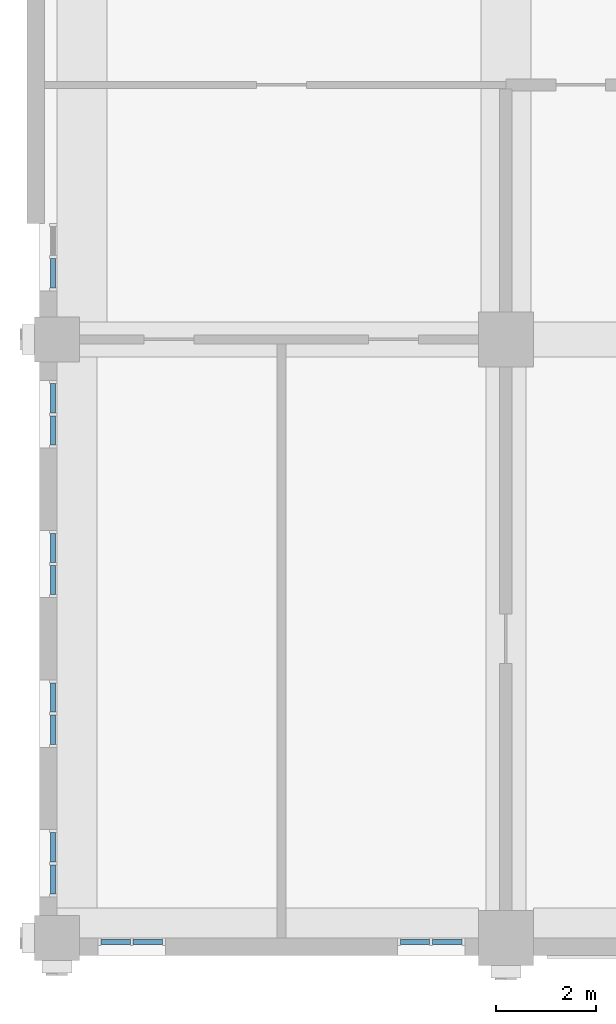
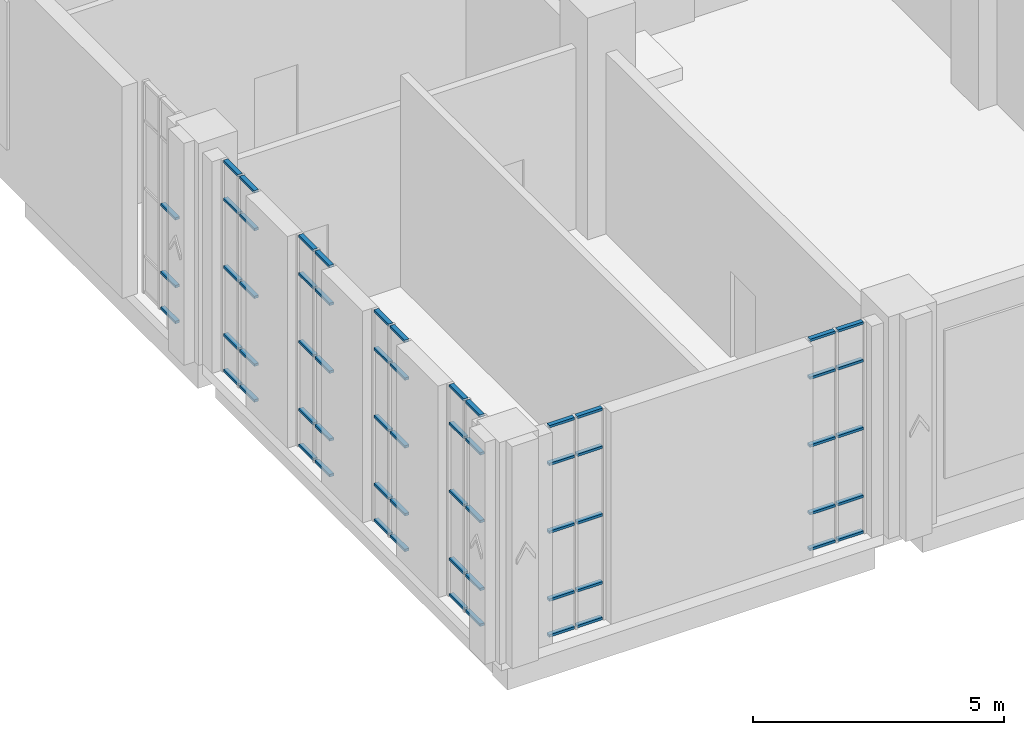
# One storey, part 6 of 25: 63 members, 7 elements without a shape of their own.
"""IFC4 building model written with IfcOpenShell, lengths in metres."""

from ifc_helpers import new_model, si_unit, direction, frame, origin, origin_2d, place, context, subcontext, project, spatial, rectangle, extrude, material, layer, layer_set, material_profile, profile_set, type_object, element, aggregate, save


model = new_model("IFC4")

# Units and contexts
model_context = context("Model", 3, precision=1e-05, world=origin(), true_north=direction((0.0, 1.0)))
body_context = subcontext(model_context, "Body", "Model", "MODEL_VIEW")
ifc_project = project(units=[si_unit("LENGTHUNIT", "METRE"), si_unit("AREAUNIT", "SQUARE_METRE"), si_unit("VOLUMEUNIT", "CUBIC_METRE"), si_unit("PLANEANGLEUNIT", "RADIAN"), si_unit("MASSUNIT", "GRAM", prefix="KILO")], contexts=[model_context])

# Site, building, storey
site_placement = place(None, origin())
site = spatial("IfcSite", under=ifc_project, at=site_placement, CompositionType="ELEMENT")
building_placement = place(site_placement, origin())
building = spatial("IfcBuilding", under=site, at=building_placement, Name="Aurelan Courthouse", CompositionType="ELEMENT")
storey_placement = place(building_placement, frame((0.0, 0.0, 33.60009765625)))
storey = spatial("IfcBuildingStorey", under=building, at=storey_placement, Name="L06", CompositionType="ELEMENT", Elevation=33.60009765625)

# Curtain wall, members
ifc_material_1 = material(Name="Bronze-finished aluminium and glass", Category="aluminium")
ifc_layer = layer(ifc_material_1, 0.14990234375)
ifc_layer_set = layer_set([ifc_layer], Name="Bronze-finished aluminium and glass")
curtain_wall_type = type_object("IfcCurtainWallType", Name="Curtain wall 1350 x 5150", PredefinedType="NOTDEFINED", material=ifc_layer_set)
curtain_wall_1_placement = place(storey_placement, origin())
curtain_wall_1 = element("IfcCurtainWall", 1, at=curtain_wall_1_placement, inside=storey, type_object=curtain_wall_type, Name="Curtain wall CW-V5-L06-S01", PredefinedType="NOTDEFINED")
ifc_material_2 = material(Name="Bronze-finished aluminium", Category="aluminium")
ifc_material_profile = material_profile(ifc_material_2, rectangle(XDim=0.10009765625, YDim=0.06005859375, at=origin_2d()), Name="Bronze transom 60 x 100")
ifc_profile_set = profile_set([ifc_material_profile], Name="Bronze-finished aluminium")
member_type = type_object("IfcMemberType", Name="Curtain wall transom 60 x 100", PredefinedType="USERDEFINED", material=ifc_profile_set)
member_1_placement = place(storey_placement, frame((0.885009765625, -0.074951171875, 0.02978515625), z_axis=(1.0, 0.0, 0.0), x_axis=(0.0, 1.0, 0.0)))
member_1 = element("IfcMember", 2, at=member_1_placement, type_object=member_type, Name="CW-V5-L06-S01 transom 1.1", ObjectType="TRANSOM", PredefinedType="USERDEFINED", context=body_context, shape_type="SweptSolid", body=[
    extrude(rectangle(XDim=0.10009765625, YDim=0.06005859375, at=origin_2d()), origin(), (0.0, 0.0, 1.0), 0.5849609375),
])
member_2_placement = place(storey_placement, frame((0.885009765625, -0.074951171875, 0.89990234375), z_axis=(1.0, 0.0, 0.0), x_axis=(0.0, 1.0, 0.0)))
member_2 = element("IfcMember", 3, at=member_2_placement, type_object=member_type, Name="CW-V5-L06-S01 transom 1.2", ObjectType="TRANSOM", PredefinedType="USERDEFINED", context=body_context, shape_type="SweptSolid", body=[
    extrude(rectangle(XDim=0.10009765625, YDim=0.06005859375, at=origin_2d()), origin(), (0.0, 0.0, 1.0), 0.5849609375),
])
member_3_placement = place(storey_placement, frame((0.885009765625, -0.074951171875, 2.5498046875), z_axis=(1.0, 0.0, 0.0), x_axis=(0.0, 1.0, 0.0)))
member_3 = element("IfcMember", 4, at=member_3_placement, type_object=member_type, Name="CW-V5-L06-S01 transom 1.3", ObjectType="TRANSOM", PredefinedType="USERDEFINED", context=body_context, shape_type="SweptSolid", body=[
    extrude(rectangle(XDim=0.10009765625, YDim=0.06005859375, at=origin_2d()), origin(), (0.0, 0.0, 1.0), 0.5849609375),
])
member_4_placement = place(storey_placement, frame((0.885009765625, -0.074951171875, 4.199951171875), z_axis=(1.0, 0.0, 0.0), x_axis=(0.0, 1.0, 0.0)))
member_4 = element("IfcMember", 5, at=member_4_placement, type_object=member_type, Name="CW-V5-L06-S01 transom 1.4", ObjectType="TRANSOM", PredefinedType="USERDEFINED", context=body_context, shape_type="SweptSolid", body=[
    extrude(rectangle(XDim=0.10009765625, YDim=0.06005859375, at=origin_2d()), origin(), (0.0, 0.0, 1.0), 0.5849609375),
])
member_5_placement = place(storey_placement, frame((0.885009765625, -0.074951171875, 5.119873046875), z_axis=(1.0, 0.0, 0.0), x_axis=(0.0, 1.0, 0.0)))
member_5 = element("IfcMember", 6, at=member_5_placement, type_object=member_type, Name="CW-V5-L06-S01 transom 1.5", ObjectType="TRANSOM", PredefinedType="USERDEFINED", context=body_context, shape_type="SweptSolid", body=[
    extrude(rectangle(XDim=0.10009765625, YDim=0.06005859375, at=origin_2d()), origin(), (0.0, 0.0, 1.0), 0.5849609375),
])
member_6_placement = place(storey_placement, frame((1.530029296875, -0.074951171875, 0.02978515625), z_axis=(1.0, 0.0, 0.0), x_axis=(0.0, 1.0, 0.0)))
member_6 = element("IfcMember", 7, at=member_6_placement, type_object=member_type, Name="CW-V5-L06-S01 transom 2.1", ObjectType="TRANSOM", PredefinedType="USERDEFINED", context=body_context, shape_type="SweptSolid", body=[
    extrude(rectangle(XDim=0.10009765625, YDim=0.06005859375, at=origin_2d()), origin(), (0.0, 0.0, 1.0), 0.5849609375),
])
member_7_placement = place(storey_placement, frame((1.530029296875, -0.074951171875, 0.89990234375), z_axis=(1.0, 0.0, 0.0), x_axis=(0.0, 1.0, 0.0)))
member_7 = element("IfcMember", 8, at=member_7_placement, type_object=member_type, Name="CW-V5-L06-S01 transom 2.2", ObjectType="TRANSOM", PredefinedType="USERDEFINED", context=body_context, shape_type="SweptSolid", body=[
    extrude(rectangle(XDim=0.10009765625, YDim=0.06005859375, at=origin_2d()), origin(), (0.0, 0.0, 1.0), 0.5849609375),
])
member_8_placement = place(storey_placement, frame((1.530029296875, -0.074951171875, 2.5498046875), z_axis=(1.0, 0.0, 0.0), x_axis=(0.0, 1.0, 0.0)))
member_8 = element("IfcMember", 9, at=member_8_placement, type_object=member_type, Name="CW-V5-L06-S01 transom 2.3", ObjectType="TRANSOM", PredefinedType="USERDEFINED", context=body_context, shape_type="SweptSolid", body=[
    extrude(rectangle(XDim=0.10009765625, YDim=0.06005859375, at=origin_2d()), origin(), (0.0, 0.0, 1.0), 0.5849609375),
])
member_9_placement = place(storey_placement, frame((1.530029296875, -0.074951171875, 4.199951171875), z_axis=(1.0, 0.0, 0.0), x_axis=(0.0, 1.0, 0.0)))
member_9 = element("IfcMember", 10, at=member_9_placement, type_object=member_type, Name="CW-V5-L06-S01 transom 2.4", ObjectType="TRANSOM", PredefinedType="USERDEFINED", context=body_context, shape_type="SweptSolid", body=[
    extrude(rectangle(XDim=0.10009765625, YDim=0.06005859375, at=origin_2d()), origin(), (0.0, 0.0, 1.0), 0.5849609375),
])
member_10_placement = place(storey_placement, frame((1.530029296875, -0.074951171875, 5.119873046875), z_axis=(1.0, 0.0, 0.0), x_axis=(0.0, 1.0, 0.0)))
member_10 = element("IfcMember", 11, at=member_10_placement, type_object=member_type, Name="CW-V5-L06-S01 transom 2.5", ObjectType="TRANSOM", PredefinedType="USERDEFINED", context=body_context, shape_type="SweptSolid", body=[
    extrude(rectangle(XDim=0.10009765625, YDim=0.06005859375, at=origin_2d()), origin(), (0.0, 0.0, 1.0), 0.5849609375),
])
aggregate(curtain_wall_1, [member_1, member_2, member_3, member_4, member_5, member_6, member_7, member_8, member_9, member_10])

curtain_wall_2_placement = place(storey_placement, origin())
curtain_wall_2 = element("IfcCurtainWall", 12, at=curtain_wall_2_placement, inside=storey, type_object=curtain_wall_type, Name="Curtain wall CW-V5-L06-S02", PredefinedType="NOTDEFINED")
member_11_placement = place(storey_placement, frame((6.885009765625, -0.074951171875, 0.02978515625), z_axis=(1.0, 0.0, 0.0), x_axis=(0.0, 1.0, 0.0)))
member_11 = element("IfcMember", 13, at=member_11_placement, type_object=member_type, Name="CW-V5-L06-S02 transom 1.1", ObjectType="TRANSOM", PredefinedType="USERDEFINED", context=body_context, shape_type="SweptSolid", body=[
    extrude(rectangle(XDim=0.10009765625, YDim=0.06005859375, at=origin_2d()), origin(), (0.0, 0.0, 1.0), 0.5849609375),
])
member_12_placement = place(storey_placement, frame((6.885009765625, -0.074951171875, 0.89990234375), z_axis=(1.0, 0.0, 0.0), x_axis=(0.0, 1.0, 0.0)))
member_12 = element("IfcMember", 14, at=member_12_placement, type_object=member_type, Name="CW-V5-L06-S02 transom 1.2", ObjectType="TRANSOM", PredefinedType="USERDEFINED", context=body_context, shape_type="SweptSolid", body=[
    extrude(rectangle(XDim=0.10009765625, YDim=0.06005859375, at=origin_2d()), origin(), (0.0, 0.0, 1.0), 0.5849609375),
])
member_13_placement = place(storey_placement, frame((6.885009765625, -0.074951171875, 2.5498046875), z_axis=(1.0, 0.0, 0.0), x_axis=(0.0, 1.0, 0.0)))
member_13 = element("IfcMember", 15, at=member_13_placement, type_object=member_type, Name="CW-V5-L06-S02 transom 1.3", ObjectType="TRANSOM", PredefinedType="USERDEFINED", context=body_context, shape_type="SweptSolid", body=[
    extrude(rectangle(XDim=0.10009765625, YDim=0.06005859375, at=origin_2d()), origin(), (0.0, 0.0, 1.0), 0.5849609375),
])
member_14_placement = place(storey_placement, frame((6.885009765625, -0.074951171875, 4.199951171875), z_axis=(1.0, 0.0, 0.0), x_axis=(0.0, 1.0, 0.0)))
member_14 = element("IfcMember", 16, at=member_14_placement, type_object=member_type, Name="CW-V5-L06-S02 transom 1.4", ObjectType="TRANSOM", PredefinedType="USERDEFINED", context=body_context, shape_type="SweptSolid", body=[
    extrude(rectangle(XDim=0.10009765625, YDim=0.06005859375, at=origin_2d()), origin(), (0.0, 0.0, 1.0), 0.5849609375),
])
member_15_placement = place(storey_placement, frame((6.885009765625, -0.074951171875, 5.119873046875), z_axis=(1.0, 0.0, 0.0), x_axis=(0.0, 1.0, 0.0)))
member_15 = element("IfcMember", 17, at=member_15_placement, type_object=member_type, Name="CW-V5-L06-S02 transom 1.5", ObjectType="TRANSOM", PredefinedType="USERDEFINED", context=body_context, shape_type="SweptSolid", body=[
    extrude(rectangle(XDim=0.10009765625, YDim=0.06005859375, at=origin_2d()), origin(), (0.0, 0.0, 1.0), 0.5849609375),
])
member_16_placement = place(storey_placement, frame((7.530029296875, -0.074951171875, 0.02978515625), z_axis=(1.0, 0.0, 0.0), x_axis=(0.0, 1.0, 0.0)))
member_16 = element("IfcMember", 18, at=member_16_placement, type_object=member_type, Name="CW-V5-L06-S02 transom 2.1", ObjectType="TRANSOM", PredefinedType="USERDEFINED", context=body_context, shape_type="SweptSolid", body=[
    extrude(rectangle(XDim=0.10009765625, YDim=0.06005859375, at=origin_2d()), origin(), (0.0, 0.0, 1.0), 0.5849609375),
])
member_17_placement = place(storey_placement, frame((7.530029296875, -0.074951171875, 0.89990234375), z_axis=(1.0, 0.0, 0.0), x_axis=(0.0, 1.0, 0.0)))
member_17 = element("IfcMember", 19, at=member_17_placement, type_object=member_type, Name="CW-V5-L06-S02 transom 2.2", ObjectType="TRANSOM", PredefinedType="USERDEFINED", context=body_context, shape_type="SweptSolid", body=[
    extrude(rectangle(XDim=0.10009765625, YDim=0.06005859375, at=origin_2d()), origin(), (0.0, 0.0, 1.0), 0.5849609375),
])
member_18_placement = place(storey_placement, frame((7.530029296875, -0.074951171875, 2.5498046875), z_axis=(1.0, 0.0, 0.0), x_axis=(0.0, 1.0, 0.0)))
member_18 = element("IfcMember", 20, at=member_18_placement, type_object=member_type, Name="CW-V5-L06-S02 transom 2.3", ObjectType="TRANSOM", PredefinedType="USERDEFINED", context=body_context, shape_type="SweptSolid", body=[
    extrude(rectangle(XDim=0.10009765625, YDim=0.06005859375, at=origin_2d()), origin(), (0.0, 0.0, 1.0), 0.5849609375),
])
member_19_placement = place(storey_placement, frame((7.530029296875, -0.074951171875, 4.199951171875), z_axis=(1.0, 0.0, 0.0), x_axis=(0.0, 1.0, 0.0)))
member_19 = element("IfcMember", 21, at=member_19_placement, type_object=member_type, Name="CW-V5-L06-S02 transom 2.4", ObjectType="TRANSOM", PredefinedType="USERDEFINED", context=body_context, shape_type="SweptSolid", body=[
    extrude(rectangle(XDim=0.10009765625, YDim=0.06005859375, at=origin_2d()), origin(), (0.0, 0.0, 1.0), 0.5849609375),
])
member_20_placement = place(storey_placement, frame((7.530029296875, -0.074951171875, 5.119873046875), z_axis=(1.0, 0.0, 0.0), x_axis=(0.0, 1.0, 0.0)))
member_20 = element("IfcMember", 22, at=member_20_placement, type_object=member_type, Name="CW-V5-L06-S02 transom 2.5", ObjectType="TRANSOM", PredefinedType="USERDEFINED", context=body_context, shape_type="SweptSolid", body=[
    extrude(rectangle(XDim=0.10009765625, YDim=0.06005859375, at=origin_2d()), origin(), (0.0, 0.0, 1.0), 0.5849609375),
])
aggregate(curtain_wall_2, [member_11, member_12, member_13, member_14, member_15, member_16, member_17, member_18, member_19, member_20])

curtain_wall_3_placement = place(storey_placement, origin())
curtain_wall_3 = element("IfcCurtainWall", 23, at=curtain_wall_3_placement, inside=storey, type_object=curtain_wall_type, Name="Curtain wall CW-V5-L06-W01", PredefinedType="NOTDEFINED")
member_21_placement = place(storey_placement, frame((-0.074951171875, 0.885009765625, 0.02978515625), z_axis=(0.0, 1.0, 0.0), x_axis=(-1.0, 0.0, 0.0)))
member_21 = element("IfcMember", 24, at=member_21_placement, type_object=member_type, Name="CW-V5-L06-W01 transom 1.1", ObjectType="TRANSOM", PredefinedType="USERDEFINED", context=body_context, shape_type="SweptSolid", body=[
    extrude(rectangle(XDim=0.10009765625, YDim=0.06005859375, at=origin_2d()), origin(), (0.0, 0.0, 1.0), 0.5849609375),
])
member_22_placement = place(storey_placement, frame((-0.074951171875, 0.885009765625, 0.89990234375), z_axis=(0.0, 1.0, 0.0), x_axis=(-1.0, 0.0, 0.0)))
member_22 = element("IfcMember", 25, at=member_22_placement, type_object=member_type, Name="CW-V5-L06-W01 transom 1.2", ObjectType="TRANSOM", PredefinedType="USERDEFINED", context=body_context, shape_type="SweptSolid", body=[
    extrude(rectangle(XDim=0.10009765625, YDim=0.06005859375, at=origin_2d()), origin(), (0.0, 0.0, 1.0), 0.5849609375),
])
member_23_placement = place(storey_placement, frame((-0.074951171875, 0.885009765625, 2.5498046875), z_axis=(0.0, 1.0, 0.0), x_axis=(-1.0, 0.0, 0.0)))
member_23 = element("IfcMember", 26, at=member_23_placement, type_object=member_type, Name="CW-V5-L06-W01 transom 1.3", ObjectType="TRANSOM", PredefinedType="USERDEFINED", context=body_context, shape_type="SweptSolid", body=[
    extrude(rectangle(XDim=0.10009765625, YDim=0.06005859375, at=origin_2d()), origin(), (0.0, 0.0, 1.0), 0.5849609375),
])
member_24_placement = place(storey_placement, frame((-0.074951171875, 0.885009765625, 4.199951171875), z_axis=(0.0, 1.0, 0.0), x_axis=(-1.0, 0.0, 0.0)))
member_24 = element("IfcMember", 27, at=member_24_placement, type_object=member_type, Name="CW-V5-L06-W01 transom 1.4", ObjectType="TRANSOM", PredefinedType="USERDEFINED", context=body_context, shape_type="SweptSolid", body=[
    extrude(rectangle(XDim=0.10009765625, YDim=0.06005859375, at=origin_2d()), origin(), (0.0, 0.0, 1.0), 0.5849609375),
])
member_25_placement = place(storey_placement, frame((-0.074951171875, 0.885009765625, 5.119873046875), z_axis=(0.0, 1.0, 0.0), x_axis=(-1.0, 0.0, 0.0)))
member_25 = element("IfcMember", 28, at=member_25_placement, type_object=member_type, Name="CW-V5-L06-W01 transom 1.5", ObjectType="TRANSOM", PredefinedType="USERDEFINED", context=body_context, shape_type="SweptSolid", body=[
    extrude(rectangle(XDim=0.10009765625, YDim=0.06005859375, at=origin_2d()), origin(), (0.0, 0.0, 1.0), 0.5849609375),
])
member_26_placement = place(storey_placement, frame((-0.074951171875, 1.530029296875, 0.02978515625), z_axis=(0.0, 1.0, 0.0), x_axis=(-1.0, 0.0, 0.0)))
member_26 = element("IfcMember", 29, at=member_26_placement, type_object=member_type, Name="CW-V5-L06-W01 transom 2.1", ObjectType="TRANSOM", PredefinedType="USERDEFINED", context=body_context, shape_type="SweptSolid", body=[
    extrude(rectangle(XDim=0.10009765625, YDim=0.06005859375, at=origin_2d()), origin(), (0.0, 0.0, 1.0), 0.5849609375),
])
member_27_placement = place(storey_placement, frame((-0.074951171875, 1.530029296875, 0.89990234375), z_axis=(0.0, 1.0, 0.0), x_axis=(-1.0, 0.0, 0.0)))
member_27 = element("IfcMember", 30, at=member_27_placement, type_object=member_type, Name="CW-V5-L06-W01 transom 2.2", ObjectType="TRANSOM", PredefinedType="USERDEFINED", context=body_context, shape_type="SweptSolid", body=[
    extrude(rectangle(XDim=0.10009765625, YDim=0.06005859375, at=origin_2d()), origin(), (0.0, 0.0, 1.0), 0.5849609375),
])
member_28_placement = place(storey_placement, frame((-0.074951171875, 1.530029296875, 2.5498046875), z_axis=(0.0, 1.0, 0.0), x_axis=(-1.0, 0.0, 0.0)))
member_28 = element("IfcMember", 31, at=member_28_placement, type_object=member_type, Name="CW-V5-L06-W01 transom 2.3", ObjectType="TRANSOM", PredefinedType="USERDEFINED", context=body_context, shape_type="SweptSolid", body=[
    extrude(rectangle(XDim=0.10009765625, YDim=0.06005859375, at=origin_2d()), origin(), (0.0, 0.0, 1.0), 0.5849609375),
])
member_29_placement = place(storey_placement, frame((-0.074951171875, 1.530029296875, 4.199951171875), z_axis=(0.0, 1.0, 0.0), x_axis=(-1.0, 0.0, 0.0)))
member_29 = element("IfcMember", 32, at=member_29_placement, type_object=member_type, Name="CW-V5-L06-W01 transom 2.4", ObjectType="TRANSOM", PredefinedType="USERDEFINED", context=body_context, shape_type="SweptSolid", body=[
    extrude(rectangle(XDim=0.10009765625, YDim=0.06005859375, at=origin_2d()), origin(), (0.0, 0.0, 1.0), 0.5849609375),
])
member_30_placement = place(storey_placement, frame((-0.074951171875, 1.530029296875, 5.119873046875), z_axis=(0.0, 1.0, 0.0), x_axis=(-1.0, 0.0, 0.0)))
member_30 = element("IfcMember", 33, at=member_30_placement, type_object=member_type, Name="CW-V5-L06-W01 transom 2.5", ObjectType="TRANSOM", PredefinedType="USERDEFINED", context=body_context, shape_type="SweptSolid", body=[
    extrude(rectangle(XDim=0.10009765625, YDim=0.06005859375, at=origin_2d()), origin(), (0.0, 0.0, 1.0), 0.5849609375),
])
aggregate(curtain_wall_3, [member_21, member_22, member_23, member_24, member_25, member_26, member_27, member_28, member_29, member_30])

curtain_wall_4_placement = place(storey_placement, origin())
curtain_wall_4 = element("IfcCurtainWall", 34, at=curtain_wall_4_placement, inside=storey, type_object=curtain_wall_type, Name="Curtain wall CW-V5-L06-W02", PredefinedType="NOTDEFINED")
member_31_placement = place(storey_placement, frame((-0.074951171875, 3.885009765625, 0.02978515625), z_axis=(0.0, 1.0, 0.0), x_axis=(-1.0, 0.0, 0.0)))
member_31 = element("IfcMember", 35, at=member_31_placement, type_object=member_type, Name="CW-V5-L06-W02 transom 1.1", ObjectType="TRANSOM", PredefinedType="USERDEFINED", context=body_context, shape_type="SweptSolid", body=[
    extrude(rectangle(XDim=0.10009765625, YDim=0.06005859375, at=origin_2d()), origin(), (0.0, 0.0, 1.0), 0.5849609375),
])
member_32_placement = place(storey_placement, frame((-0.074951171875, 3.885009765625, 0.89990234375), z_axis=(0.0, 1.0, 0.0), x_axis=(-1.0, 0.0, 0.0)))
member_32 = element("IfcMember", 36, at=member_32_placement, type_object=member_type, Name="CW-V5-L06-W02 transom 1.2", ObjectType="TRANSOM", PredefinedType="USERDEFINED", context=body_context, shape_type="SweptSolid", body=[
    extrude(rectangle(XDim=0.10009765625, YDim=0.06005859375, at=origin_2d()), origin(), (0.0, 0.0, 1.0), 0.5849609375),
])
member_33_placement = place(storey_placement, frame((-0.074951171875, 3.885009765625, 2.5498046875), z_axis=(0.0, 1.0, 0.0), x_axis=(-1.0, 0.0, 0.0)))
member_33 = element("IfcMember", 37, at=member_33_placement, type_object=member_type, Name="CW-V5-L06-W02 transom 1.3", ObjectType="TRANSOM", PredefinedType="USERDEFINED", context=body_context, shape_type="SweptSolid", body=[
    extrude(rectangle(XDim=0.10009765625, YDim=0.06005859375, at=origin_2d()), origin(), (0.0, 0.0, 1.0), 0.5849609375),
])
member_34_placement = place(storey_placement, frame((-0.074951171875, 3.885009765625, 4.199951171875), z_axis=(0.0, 1.0, 0.0), x_axis=(-1.0, 0.0, 0.0)))
member_34 = element("IfcMember", 38, at=member_34_placement, type_object=member_type, Name="CW-V5-L06-W02 transom 1.4", ObjectType="TRANSOM", PredefinedType="USERDEFINED", context=body_context, shape_type="SweptSolid", body=[
    extrude(rectangle(XDim=0.10009765625, YDim=0.06005859375, at=origin_2d()), origin(), (0.0, 0.0, 1.0), 0.5849609375),
])
member_35_placement = place(storey_placement, frame((-0.074951171875, 3.885009765625, 5.119873046875), z_axis=(0.0, 1.0, 0.0), x_axis=(-1.0, 0.0, 0.0)))
member_35 = element("IfcMember", 39, at=member_35_placement, type_object=member_type, Name="CW-V5-L06-W02 transom 1.5", ObjectType="TRANSOM", PredefinedType="USERDEFINED", context=body_context, shape_type="SweptSolid", body=[
    extrude(rectangle(XDim=0.10009765625, YDim=0.06005859375, at=origin_2d()), origin(), (0.0, 0.0, 1.0), 0.5849609375),
])
member_36_placement = place(storey_placement, frame((-0.074951171875, 4.530029296875, 0.02978515625), z_axis=(0.0, 1.0, 0.0), x_axis=(-1.0, 0.0, 0.0)))
member_36 = element("IfcMember", 40, at=member_36_placement, type_object=member_type, Name="CW-V5-L06-W02 transom 2.1", ObjectType="TRANSOM", PredefinedType="USERDEFINED", context=body_context, shape_type="SweptSolid", body=[
    extrude(rectangle(XDim=0.10009765625, YDim=0.06005859375, at=origin_2d()), origin(), (0.0, 0.0, 1.0), 0.5849609375),
])
member_37_placement = place(storey_placement, frame((-0.074951171875, 4.530029296875, 0.89990234375), z_axis=(0.0, 1.0, 0.0), x_axis=(-1.0, 0.0, 0.0)))
member_37 = element("IfcMember", 41, at=member_37_placement, type_object=member_type, Name="CW-V5-L06-W02 transom 2.2", ObjectType="TRANSOM", PredefinedType="USERDEFINED", context=body_context, shape_type="SweptSolid", body=[
    extrude(rectangle(XDim=0.10009765625, YDim=0.06005859375, at=origin_2d()), origin(), (0.0, 0.0, 1.0), 0.5849609375),
])
member_38_placement = place(storey_placement, frame((-0.074951171875, 4.530029296875, 2.5498046875), z_axis=(0.0, 1.0, 0.0), x_axis=(-1.0, 0.0, 0.0)))
member_38 = element("IfcMember", 42, at=member_38_placement, type_object=member_type, Name="CW-V5-L06-W02 transom 2.3", ObjectType="TRANSOM", PredefinedType="USERDEFINED", context=body_context, shape_type="SweptSolid", body=[
    extrude(rectangle(XDim=0.10009765625, YDim=0.06005859375, at=origin_2d()), origin(), (0.0, 0.0, 1.0), 0.5849609375),
])
member_39_placement = place(storey_placement, frame((-0.074951171875, 4.530029296875, 4.199951171875), z_axis=(0.0, 1.0, 0.0), x_axis=(-1.0, 0.0, 0.0)))
member_39 = element("IfcMember", 43, at=member_39_placement, type_object=member_type, Name="CW-V5-L06-W02 transom 2.4", ObjectType="TRANSOM", PredefinedType="USERDEFINED", context=body_context, shape_type="SweptSolid", body=[
    extrude(rectangle(XDim=0.10009765625, YDim=0.06005859375, at=origin_2d()), origin(), (0.0, 0.0, 1.0), 0.5849609375),
])
member_40_placement = place(storey_placement, frame((-0.074951171875, 4.530029296875, 5.119873046875), z_axis=(0.0, 1.0, 0.0), x_axis=(-1.0, 0.0, 0.0)))
member_40 = element("IfcMember", 44, at=member_40_placement, type_object=member_type, Name="CW-V5-L06-W02 transom 2.5", ObjectType="TRANSOM", PredefinedType="USERDEFINED", context=body_context, shape_type="SweptSolid", body=[
    extrude(rectangle(XDim=0.10009765625, YDim=0.06005859375, at=origin_2d()), origin(), (0.0, 0.0, 1.0), 0.5849609375),
])
aggregate(curtain_wall_4, [member_31, member_32, member_33, member_34, member_35, member_36, member_37, member_38, member_39, member_40])

curtain_wall_5_placement = place(storey_placement, origin())
curtain_wall_5 = element("IfcCurtainWall", 45, at=curtain_wall_5_placement, inside=storey, type_object=curtain_wall_type, Name="Curtain wall CW-V5-L06-W03", PredefinedType="NOTDEFINED")
member_41_placement = place(storey_placement, frame((-0.074951171875, 6.885009765625, 0.02978515625), z_axis=(0.0, 1.0, 0.0), x_axis=(-1.0, 0.0, 0.0)))
member_41 = element("IfcMember", 46, at=member_41_placement, type_object=member_type, Name="CW-V5-L06-W03 transom 1.1", ObjectType="TRANSOM", PredefinedType="USERDEFINED", context=body_context, shape_type="SweptSolid", body=[
    extrude(rectangle(XDim=0.10009765625, YDim=0.06005859375, at=origin_2d()), origin(), (0.0, 0.0, 1.0), 0.5849609375),
])
member_42_placement = place(storey_placement, frame((-0.074951171875, 6.885009765625, 0.89990234375), z_axis=(0.0, 1.0, 0.0), x_axis=(-1.0, 0.0, 0.0)))
member_42 = element("IfcMember", 47, at=member_42_placement, type_object=member_type, Name="CW-V5-L06-W03 transom 1.2", ObjectType="TRANSOM", PredefinedType="USERDEFINED", context=body_context, shape_type="SweptSolid", body=[
    extrude(rectangle(XDim=0.10009765625, YDim=0.06005859375, at=origin_2d()), origin(), (0.0, 0.0, 1.0), 0.5849609375),
])
member_43_placement = place(storey_placement, frame((-0.074951171875, 6.885009765625, 2.5498046875), z_axis=(0.0, 1.0, 0.0), x_axis=(-1.0, 0.0, 0.0)))
member_43 = element("IfcMember", 48, at=member_43_placement, type_object=member_type, Name="CW-V5-L06-W03 transom 1.3", ObjectType="TRANSOM", PredefinedType="USERDEFINED", context=body_context, shape_type="SweptSolid", body=[
    extrude(rectangle(XDim=0.10009765625, YDim=0.06005859375, at=origin_2d()), origin(), (0.0, 0.0, 1.0), 0.5849609375),
])
member_44_placement = place(storey_placement, frame((-0.074951171875, 6.885009765625, 4.199951171875), z_axis=(0.0, 1.0, 0.0), x_axis=(-1.0, 0.0, 0.0)))
member_44 = element("IfcMember", 49, at=member_44_placement, type_object=member_type, Name="CW-V5-L06-W03 transom 1.4", ObjectType="TRANSOM", PredefinedType="USERDEFINED", context=body_context, shape_type="SweptSolid", body=[
    extrude(rectangle(XDim=0.10009765625, YDim=0.06005859375, at=origin_2d()), origin(), (0.0, 0.0, 1.0), 0.5849609375),
])
member_45_placement = place(storey_placement, frame((-0.074951171875, 6.885009765625, 5.119873046875), z_axis=(0.0, 1.0, 0.0), x_axis=(-1.0, 0.0, 0.0)))
member_45 = element("IfcMember", 50, at=member_45_placement, type_object=member_type, Name="CW-V5-L06-W03 transom 1.5", ObjectType="TRANSOM", PredefinedType="USERDEFINED", context=body_context, shape_type="SweptSolid", body=[
    extrude(rectangle(XDim=0.10009765625, YDim=0.06005859375, at=origin_2d()), origin(), (0.0, 0.0, 1.0), 0.5849609375),
])
member_46_placement = place(storey_placement, frame((-0.074951171875, 7.530029296875, 0.02978515625), z_axis=(0.0, 1.0, 0.0), x_axis=(-1.0, 0.0, 0.0)))
member_46 = element("IfcMember", 51, at=member_46_placement, type_object=member_type, Name="CW-V5-L06-W03 transom 2.1", ObjectType="TRANSOM", PredefinedType="USERDEFINED", context=body_context, shape_type="SweptSolid", body=[
    extrude(rectangle(XDim=0.10009765625, YDim=0.06005859375, at=origin_2d()), origin(), (0.0, 0.0, 1.0), 0.5849609375),
])
member_47_placement = place(storey_placement, frame((-0.074951171875, 7.530029296875, 0.89990234375), z_axis=(0.0, 1.0, 0.0), x_axis=(-1.0, 0.0, 0.0)))
member_47 = element("IfcMember", 52, at=member_47_placement, type_object=member_type, Name="CW-V5-L06-W03 transom 2.2", ObjectType="TRANSOM", PredefinedType="USERDEFINED", context=body_context, shape_type="SweptSolid", body=[
    extrude(rectangle(XDim=0.10009765625, YDim=0.06005859375, at=origin_2d()), origin(), (0.0, 0.0, 1.0), 0.5849609375),
])
member_48_placement = place(storey_placement, frame((-0.074951171875, 7.530029296875, 2.5498046875), z_axis=(0.0, 1.0, 0.0), x_axis=(-1.0, 0.0, 0.0)))
member_48 = element("IfcMember", 53, at=member_48_placement, type_object=member_type, Name="CW-V5-L06-W03 transom 2.3", ObjectType="TRANSOM", PredefinedType="USERDEFINED", context=body_context, shape_type="SweptSolid", body=[
    extrude(rectangle(XDim=0.10009765625, YDim=0.06005859375, at=origin_2d()), origin(), (0.0, 0.0, 1.0), 0.5849609375),
])
member_49_placement = place(storey_placement, frame((-0.074951171875, 7.530029296875, 4.199951171875), z_axis=(0.0, 1.0, 0.0), x_axis=(-1.0, 0.0, 0.0)))
member_49 = element("IfcMember", 54, at=member_49_placement, type_object=member_type, Name="CW-V5-L06-W03 transom 2.4", ObjectType="TRANSOM", PredefinedType="USERDEFINED", context=body_context, shape_type="SweptSolid", body=[
    extrude(rectangle(XDim=0.10009765625, YDim=0.06005859375, at=origin_2d()), origin(), (0.0, 0.0, 1.0), 0.5849609375),
])
member_50_placement = place(storey_placement, frame((-0.074951171875, 7.530029296875, 5.119873046875), z_axis=(0.0, 1.0, 0.0), x_axis=(-1.0, 0.0, 0.0)))
member_50 = element("IfcMember", 55, at=member_50_placement, type_object=member_type, Name="CW-V5-L06-W03 transom 2.5", ObjectType="TRANSOM", PredefinedType="USERDEFINED", context=body_context, shape_type="SweptSolid", body=[
    extrude(rectangle(XDim=0.10009765625, YDim=0.06005859375, at=origin_2d()), origin(), (0.0, 0.0, 1.0), 0.5849609375),
])
aggregate(curtain_wall_5, [member_41, member_42, member_43, member_44, member_45, member_46, member_47, member_48, member_49, member_50])

curtain_wall_6_placement = place(storey_placement, origin())
curtain_wall_6 = element("IfcCurtainWall", 56, at=curtain_wall_6_placement, inside=storey, type_object=curtain_wall_type, Name="Curtain wall CW-V5-L06-W04", PredefinedType="NOTDEFINED")
member_51_placement = place(storey_placement, frame((-0.074951171875, 9.885009765625, 0.02978515625), z_axis=(0.0, 1.0, 0.0), x_axis=(-1.0, 0.0, 0.0)))
member_51 = element("IfcMember", 57, at=member_51_placement, type_object=member_type, Name="CW-V5-L06-W04 transom 1.1", ObjectType="TRANSOM", PredefinedType="USERDEFINED", context=body_context, shape_type="SweptSolid", body=[
    extrude(rectangle(XDim=0.10009765625, YDim=0.06005859375, at=origin_2d()), origin(), (0.0, 0.0, 1.0), 0.5849609375),
])
member_52_placement = place(storey_placement, frame((-0.074951171875, 9.885009765625, 0.89990234375), z_axis=(0.0, 1.0, 0.0), x_axis=(-1.0, 0.0, 0.0)))
member_52 = element("IfcMember", 58, at=member_52_placement, type_object=member_type, Name="CW-V5-L06-W04 transom 1.2", ObjectType="TRANSOM", PredefinedType="USERDEFINED", context=body_context, shape_type="SweptSolid", body=[
    extrude(rectangle(XDim=0.10009765625, YDim=0.06005859375, at=origin_2d()), origin(), (0.0, 0.0, 1.0), 0.5849609375),
])
member_53_placement = place(storey_placement, frame((-0.074951171875, 9.885009765625, 2.5498046875), z_axis=(0.0, 1.0, 0.0), x_axis=(-1.0, 0.0, 0.0)))
member_53 = element("IfcMember", 59, at=member_53_placement, type_object=member_type, Name="CW-V5-L06-W04 transom 1.3", ObjectType="TRANSOM", PredefinedType="USERDEFINED", context=body_context, shape_type="SweptSolid", body=[
    extrude(rectangle(XDim=0.10009765625, YDim=0.06005859375, at=origin_2d()), origin(), (0.0, 0.0, 1.0), 0.5849609375),
])
member_54_placement = place(storey_placement, frame((-0.074951171875, 9.885009765625, 4.199951171875), z_axis=(0.0, 1.0, 0.0), x_axis=(-1.0, 0.0, 0.0)))
member_54 = element("IfcMember", 60, at=member_54_placement, type_object=member_type, Name="CW-V5-L06-W04 transom 1.4", ObjectType="TRANSOM", PredefinedType="USERDEFINED", context=body_context, shape_type="SweptSolid", body=[
    extrude(rectangle(XDim=0.10009765625, YDim=0.06005859375, at=origin_2d()), origin(), (0.0, 0.0, 1.0), 0.5849609375),
])
member_55_placement = place(storey_placement, frame((-0.074951171875, 9.885009765625, 5.119873046875), z_axis=(0.0, 1.0, 0.0), x_axis=(-1.0, 0.0, 0.0)))
member_55 = element("IfcMember", 61, at=member_55_placement, type_object=member_type, Name="CW-V5-L06-W04 transom 1.5", ObjectType="TRANSOM", PredefinedType="USERDEFINED", context=body_context, shape_type="SweptSolid", body=[
    extrude(rectangle(XDim=0.10009765625, YDim=0.06005859375, at=origin_2d()), origin(), (0.0, 0.0, 1.0), 0.5849609375),
])
member_56_placement = place(storey_placement, frame((-0.074951171875, 10.530029296875, 0.02978515625), z_axis=(0.0, 1.0, 0.0), x_axis=(-1.0, 0.0, 0.0)))
member_56 = element("IfcMember", 62, at=member_56_placement, type_object=member_type, Name="CW-V5-L06-W04 transom 2.1", ObjectType="TRANSOM", PredefinedType="USERDEFINED", context=body_context, shape_type="SweptSolid", body=[
    extrude(rectangle(XDim=0.10009765625, YDim=0.06005859375, at=origin_2d()), origin(), (0.0, 0.0, 1.0), 0.5849609375),
])
member_57_placement = place(storey_placement, frame((-0.074951171875, 10.530029296875, 0.89990234375), z_axis=(0.0, 1.0, 0.0), x_axis=(-1.0, 0.0, 0.0)))
member_57 = element("IfcMember", 63, at=member_57_placement, type_object=member_type, Name="CW-V5-L06-W04 transom 2.2", ObjectType="TRANSOM", PredefinedType="USERDEFINED", context=body_context, shape_type="SweptSolid", body=[
    extrude(rectangle(XDim=0.10009765625, YDim=0.06005859375, at=origin_2d()), origin(), (0.0, 0.0, 1.0), 0.5849609375),
])
member_58_placement = place(storey_placement, frame((-0.074951171875, 10.530029296875, 2.5498046875), z_axis=(0.0, 1.0, 0.0), x_axis=(-1.0, 0.0, 0.0)))
member_58 = element("IfcMember", 64, at=member_58_placement, type_object=member_type, Name="CW-V5-L06-W04 transom 2.3", ObjectType="TRANSOM", PredefinedType="USERDEFINED", context=body_context, shape_type="SweptSolid", body=[
    extrude(rectangle(XDim=0.10009765625, YDim=0.06005859375, at=origin_2d()), origin(), (0.0, 0.0, 1.0), 0.5849609375),
])
member_59_placement = place(storey_placement, frame((-0.074951171875, 10.530029296875, 4.199951171875), z_axis=(0.0, 1.0, 0.0), x_axis=(-1.0, 0.0, 0.0)))
member_59 = element("IfcMember", 65, at=member_59_placement, type_object=member_type, Name="CW-V5-L06-W04 transom 2.4", ObjectType="TRANSOM", PredefinedType="USERDEFINED", context=body_context, shape_type="SweptSolid", body=[
    extrude(rectangle(XDim=0.10009765625, YDim=0.06005859375, at=origin_2d()), origin(), (0.0, 0.0, 1.0), 0.5849609375),
])
member_60_placement = place(storey_placement, frame((-0.074951171875, 10.530029296875, 5.119873046875), z_axis=(0.0, 1.0, 0.0), x_axis=(-1.0, 0.0, 0.0)))
member_60 = element("IfcMember", 66, at=member_60_placement, type_object=member_type, Name="CW-V5-L06-W04 transom 2.5", ObjectType="TRANSOM", PredefinedType="USERDEFINED", context=body_context, shape_type="SweptSolid", body=[
    extrude(rectangle(XDim=0.10009765625, YDim=0.06005859375, at=origin_2d()), origin(), (0.0, 0.0, 1.0), 0.5849609375),
])
aggregate(curtain_wall_6, [member_51, member_52, member_53, member_54, member_55, member_56, member_57, member_58, member_59, member_60])

curtain_wall_7_placement = place(storey_placement, origin())
curtain_wall_7 = element("IfcCurtainWall", 67, at=curtain_wall_7_placement, inside=storey, type_object=curtain_wall_type, Name="Curtain wall CW-V5-L06-W05", PredefinedType="NOTDEFINED")
member_61_placement = place(storey_placement, frame((-0.074951171875, 13.034912109375, 0.02978515625), z_axis=(0.0, 1.0, 0.0), x_axis=(-1.0, 0.0, 0.0)))
member_61 = element("IfcMember", 68, at=member_61_placement, type_object=member_type, Name="CW-V5-L06-W05 transom 1.1", ObjectType="TRANSOM", PredefinedType="USERDEFINED", context=body_context, shape_type="SweptSolid", body=[
    extrude(rectangle(XDim=0.10009765625, YDim=0.06005859375, at=origin_2d()), origin(), (0.0, 0.0, 1.0), 0.585205078125),
])
member_62_placement = place(storey_placement, frame((-0.074951171875, 13.034912109375, 0.89990234375), z_axis=(0.0, 1.0, 0.0), x_axis=(-1.0, 0.0, 0.0)))
member_62 = element("IfcMember", 69, at=member_62_placement, type_object=member_type, Name="CW-V5-L06-W05 transom 1.2", ObjectType="TRANSOM", PredefinedType="USERDEFINED", context=body_context, shape_type="SweptSolid", body=[
    extrude(rectangle(XDim=0.10009765625, YDim=0.06005859375, at=origin_2d()), origin(), (0.0, 0.0, 1.0), 0.585205078125),
])
member_63_placement = place(storey_placement, frame((-0.074951171875, 13.034912109375, 2.5498046875), z_axis=(0.0, 1.0, 0.0), x_axis=(-1.0, 0.0, 0.0)))
member_63 = element("IfcMember", 70, at=member_63_placement, type_object=member_type, Name="CW-V5-L06-W05 transom 1.3", ObjectType="TRANSOM", PredefinedType="USERDEFINED", context=body_context, shape_type="SweptSolid", body=[
    extrude(rectangle(XDim=0.10009765625, YDim=0.06005859375, at=origin_2d()), origin(), (0.0, 0.0, 1.0), 0.585205078125),
])
aggregate(curtain_wall_7, [member_61, member_62, member_63])

save(model, "model.ifc")
